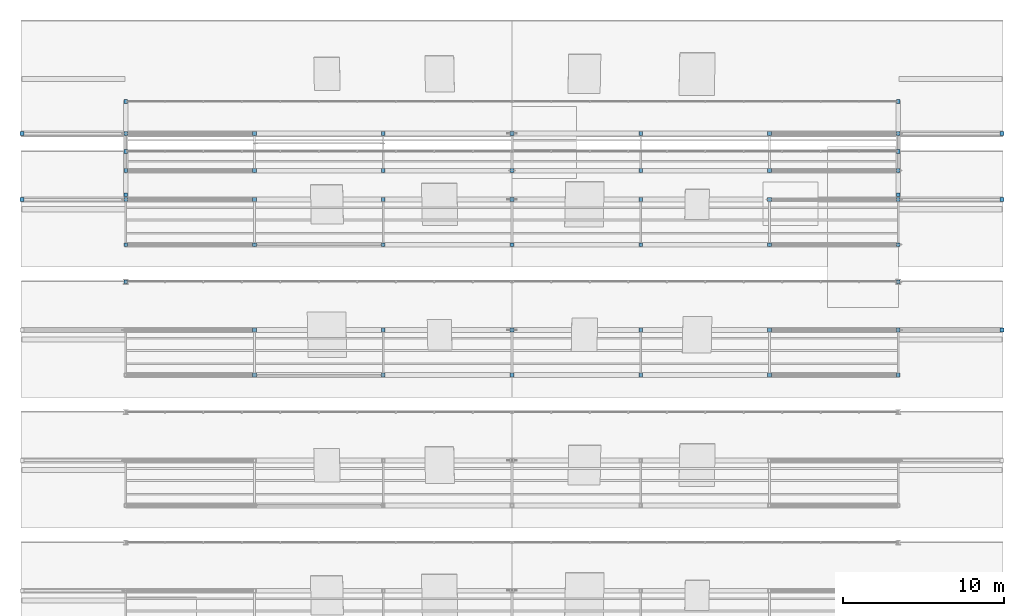
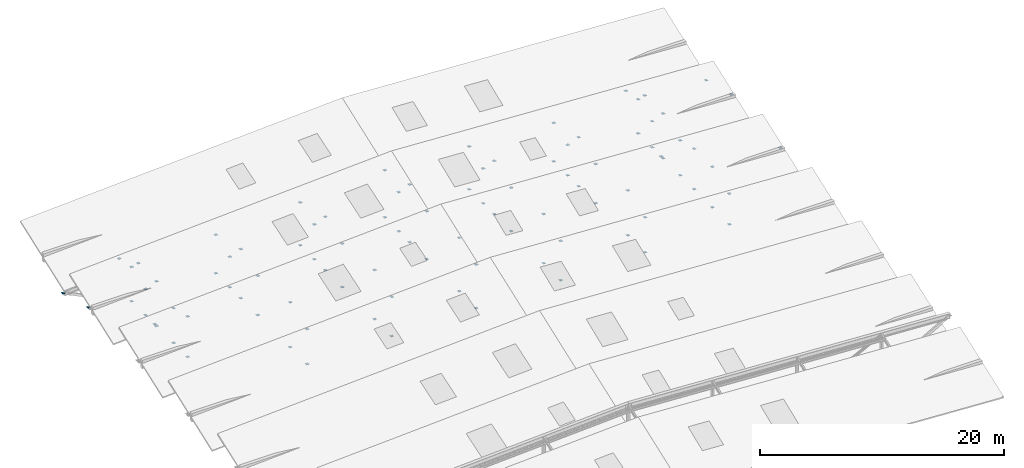
# One storey, part 140 of 141: 95 discrete accessories.
"""IFC4 building model written with IfcOpenShell, lengths in metres."""

from ifc_helpers import new_model, si_unit, direction, frame, origin, origin_2d, place, context, subcontext, project, spatial, rectangle, extrude, material, type_object, element, save


model = new_model("IFC4")

# Units and contexts
model_context = context("Model", 3, precision=1e-05, world=origin(), true_north=direction((0.0, 1.0)))
body_context = subcontext(model_context, "Body", "Model", "MODEL_VIEW")
ifc_project = project(units=[si_unit("LENGTHUNIT", "METRE"), si_unit("AREAUNIT", "SQUARE_METRE"), si_unit("VOLUMEUNIT", "CUBIC_METRE"), si_unit("PLANEANGLEUNIT", "RADIAN"), si_unit("MASSUNIT", "GRAM", prefix="KILO")], contexts=[model_context])

# Site, building, storey
site_placement = place(None, origin())
site = spatial("IfcSite", under=ifc_project, at=site_placement, CompositionType="ELEMENT")
building_placement = place(site_placement, origin())
building = spatial("IfcBuilding", under=site, at=building_placement, Name="Sundkrona Museum", CompositionType="ELEMENT")
storey_placement = place(building_placement, frame((0.0, 0.0, 34.0)))
storey = spatial("IfcBuildingStorey", under=building, at=storey_placement, Name="RF", CompositionType="ELEMENT", Elevation=34.0)

# Discrete accessories
ifc_material = material(Name="Stainless Steel EN 1.4404 Cleat", Category="steel")
discrete_accessory_type = type_object("IfcDiscreteAccessoryType", Name="BRK-FIN-01", PredefinedType="BRACKET", material=ifc_material)
for number, where, z_axis, x_axis, name in (
    (1, (128.0, 31.60009765625, 4.227783203125), (0.0, 0.0, 1.0), (1.0, 0.0, 0.0), "Brace and Strut End Connection Plate SAW-B5-DG-1-2"),
    (2, (160.0, 31.60009765625, -0.262451171875), (0.0, 0.0, 1.0), (1.0, 0.0, 0.0), "Brace and Strut End Connection Plate SAW-B5-DG-6-1"),
    (3, (168.0, 31.60009765625, 3.795166015625), (0.0, 0.0, 1.0), (1.0, 0.0, 0.0), "Brace and Strut End Connection Plate SAW-B5-DG-6-2"),
    (4, (168.0, 31.60009765625, -0.262451171875), (0.0, 0.0, 1.0), (1.0, 0.0, 0.0), "Brace and Strut End Connection Plate SAW-B5-KNE-1"),
    (5, (174.449951171875, 31.60009765625, 3.446044921875), (0.0, 0.0, 1.0), (1.0, 0.0, 0.0), "Brace and Strut End Connection Plate SAW-B5-KNE-2"),
    (6, (128.0, 28.800048828125, 3.2373046875), (0.0, 0.0, 1.0), (1.0, 0.0, 0.0), "Brace and Strut End Connection Plate SAW-B5-VDG-1-2"),
    (7, (160.0, 28.800048828125, -0.262451171875), (0.0, 0.0, 1.0), (1.0, 0.0, 0.0), "Brace and Strut End Connection Plate SAW-B5-VDG-6-1"),
    (8, (168.0, 28.800048828125, 2.804443359375), (0.0, 0.0, 1.0), (1.0, 0.0, 0.0), "Brace and Strut End Connection Plate SAW-B5-VDG-6-2"),
    (9, (128.0, 31.60009765625, -0.262451171875), (0.0, 0.0, 1.0), (1.0, 0.0, 0.0), "Brace and Strut End Connection Plate SAW-B5-VP-2-1"),
    (10, (128.0, 28.800048828125, -0.262451171875), (0.0, 0.0, 1.0), (1.0, 0.0, 0.0), "Brace and Strut End Connection Plate SAW-B5-SVP-2-1"),
    (11, (136.0, 31.60009765625, -0.262451171875), (0.0, 0.0, 1.0), (1.0, 0.0, 0.0), "Brace and Strut End Connection Plate SAW-B5-VP-3-1"),
    (12, (136.0, 31.60009765625, 4.66064453125), (0.0, 0.0, 1.0), (1.0, 0.0, 0.0), "Brace and Strut End Connection Plate SAW-B5-VP-3-2"),
    (13, (136.0, 28.800048828125, -0.262451171875), (0.0, 0.0, 1.0), (1.0, 0.0, 0.0), "Brace and Strut End Connection Plate SAW-B5-SVP-3-1"),
    (14, (136.0, 28.800048828125, 3.670166015625), (0.0, 0.0, 1.0), (1.0, 0.0, 0.0), "Brace and Strut End Connection Plate SAW-B5-SVP-3-2"),
    (15, (144.0, 31.60009765625, -0.262451171875), (0.0, 0.0, 1.0), (1.0, 0.0, 0.0), "Brace and Strut End Connection Plate SAW-B5-VP-4-1"),
    (16, (144.0, 31.60009765625, 5.09326171875), (0.0, 0.0, 1.0), (1.0, 0.0, 0.0), "Brace and Strut End Connection Plate SAW-B5-VP-4-2"),
    (17, (144.0, 28.800048828125, -0.262451171875), (0.0, 0.0, 1.0), (1.0, 0.0, 0.0), "Brace and Strut End Connection Plate SAW-B5-SVP-4-1"),
    (18, (144.0, 28.800048828125, 4.102783203125), (0.0, 0.0, 1.0), (1.0, 0.0, 0.0), "Brace and Strut End Connection Plate SAW-B5-SVP-4-2"),
    (19, (152.0, 31.60009765625, -0.262451171875), (0.0, 0.0, 1.0), (1.0, 0.0, 0.0), "Brace and Strut End Connection Plate SAW-B5-VP-5-1"),
    (20, (152.0, 31.60009765625, 4.66064453125), (0.0, 0.0, 1.0), (1.0, 0.0, 0.0), "Brace and Strut End Connection Plate SAW-B5-VP-5-2"),
    (21, (152.0, 28.800048828125, -0.262451171875), (0.0, 0.0, 1.0), (1.0, 0.0, 0.0), "Brace and Strut End Connection Plate SAW-B5-SVP-5-1"),
    (22, (152.0, 28.800048828125, 3.670166015625), (0.0, 0.0, 1.0), (1.0, 0.0, 0.0), "Brace and Strut End Connection Plate SAW-B5-SVP-5-2"),
    (23, (160.0, 31.60009765625, 4.227783203125), (0.0, 0.0, 1.0), (1.0, 0.0, 0.0), "Brace and Strut End Connection Plate SAW-B5-VP-6-2"),
    (24, (160.0, 28.800048828125, 3.2373046875), (0.0, 0.0, 1.0), (1.0, 0.0, 0.0), "Brace and Strut End Connection Plate SAW-B5-SVP-6-2"),
    (25, (168.0, 28.800048828125, -0.262451171875), (0.0, 0.0, 1.0), (1.0, 0.0, 0.0), "Brace and Strut End Connection Plate SAW-B5-SVP-7-1"),
    (26, (120.0, 39.699951171875, -0.262451171875), (0.0, 0.0, 1.0), (1.0, 0.0, 0.0), "Brace and Strut End Connection Plate SAW-B6-DG-1-1"),
    (27, (128.0, 39.699951171875, 4.64794921875), (0.0, 0.0, 1.0), (1.0, 0.0, 0.0), "Brace and Strut End Connection Plate SAW-B6-DG-1-2"),
    (28, (160.0, 39.699951171875, -0.262451171875), (0.0, 0.0, 1.0), (1.0, 0.0, 0.0), "Brace and Strut End Connection Plate SAW-B6-DG-6-1"),
    (29, (168.0, 39.699951171875, 4.215087890625), (0.0, 0.0, 1.0), (1.0, 0.0, 0.0), "Brace and Strut End Connection Plate SAW-B6-DG-6-2"),
    (30, (113.550048828125, 39.699951171875, 3.865966796875), (0.0, 0.0, 1.0), (1.0, 0.0, 0.0), "Brace and Strut End Connection Plate SAW-B6-KNW-2"),
    (31, (168.0, 39.699951171875, -0.262451171875), (0.0, 0.0, 1.0), (1.0, 0.0, 0.0), "Brace and Strut End Connection Plate SAW-B6-KNE-1"),
    (32, (174.449951171875, 39.699951171875, 3.865966796875), (0.0, 0.0, 1.0), (1.0, 0.0, 0.0), "Brace and Strut End Connection Plate SAW-B6-KNE-2"),
    (33, (120.0, 36.89990234375, -0.262451171875), (0.0, 0.0, 1.0), (1.0, 0.0, 0.0), "Brace and Strut End Connection Plate SAW-B6-VDG-1-1"),
    (34, (128.0, 36.89990234375, 3.6572265625), (0.0, 0.0, 1.0), (1.0, 0.0, 0.0), "Brace and Strut End Connection Plate SAW-B6-VDG-1-2"),
    (35, (160.0, 36.89990234375, -0.262451171875), (0.0, 0.0, 1.0), (1.0, 0.0, 0.0), "Brace and Strut End Connection Plate SAW-B6-VDG-6-1"),
    (36, (168.0, 36.89990234375, 3.224365234375), (0.0, 0.0, 1.0), (1.0, 0.0, 0.0), "Brace and Strut End Connection Plate SAW-B6-VDG-6-2"),
    (37, (120.0, 39.699951171875, 4.215087890625), (0.0, 0.0, 1.0), (1.0, 0.0, 0.0), "Brace and Strut End Connection Plate SAW-B6-VP-1-2"),
    (38, (120.0, 36.89990234375, 3.224365234375), (0.0, 0.0, 1.0), (1.0, 0.0, 0.0), "Brace and Strut End Connection Plate SAW-B6-SVP-1-2"),
    (39, (128.0, 39.699951171875, -0.262451171875), (0.0, 0.0, 1.0), (1.0, 0.0, 0.0), "Brace and Strut End Connection Plate SAW-B6-VP-2-1"),
    (40, (128.0, 36.89990234375, -0.262451171875), (0.0, 0.0, 1.0), (1.0, 0.0, 0.0), "Brace and Strut End Connection Plate SAW-B6-SVP-2-1"),
    (41, (136.0, 39.699951171875, -0.262451171875), (0.0, 0.0, 1.0), (1.0, 0.0, 0.0), "Brace and Strut End Connection Plate SAW-B6-VP-3-1"),
    (42, (136.0, 39.699951171875, 5.08056640625), (0.0, 0.0, 1.0), (1.0, 0.0, 0.0), "Brace and Strut End Connection Plate SAW-B6-VP-3-2"),
    (43, (136.0, 36.89990234375, -0.262451171875), (0.0, 0.0, 1.0), (1.0, 0.0, 0.0), "Brace and Strut End Connection Plate SAW-B6-SVP-3-1"),
    (44, (136.0, 36.89990234375, 4.090087890625), (0.0, 0.0, 1.0), (1.0, 0.0, 0.0), "Brace and Strut End Connection Plate SAW-B6-SVP-3-2"),
    (45, (144.0, 39.699951171875, -0.262451171875), (0.0, 0.0, 1.0), (1.0, 0.0, 0.0), "Brace and Strut End Connection Plate SAW-B6-VP-4-1"),
    (46, (144.0, 39.699951171875, 5.513427734375), (0.0, 0.0, 1.0), (1.0, 0.0, 0.0), "Brace and Strut End Connection Plate SAW-B6-VP-4-2"),
    (47, (144.0, 36.89990234375, -0.262451171875), (0.0, 0.0, 1.0), (1.0, 0.0, 0.0), "Brace and Strut End Connection Plate SAW-B6-SVP-4-1"),
    (48, (144.0, 36.89990234375, 4.52294921875), (0.0, 0.0, 1.0), (1.0, 0.0, 0.0), "Brace and Strut End Connection Plate SAW-B6-SVP-4-2"),
    (49, (152.0, 39.699951171875, -0.262451171875), (0.0, 0.0, 1.0), (1.0, 0.0, 0.0), "Brace and Strut End Connection Plate SAW-B6-VP-5-1"),
    (50, (152.0, 39.699951171875, 5.08056640625), (0.0, 0.0, 1.0), (1.0, 0.0, 0.0), "Brace and Strut End Connection Plate SAW-B6-VP-5-2"),
    (51, (152.0, 36.89990234375, -0.262451171875), (0.0, 0.0, 1.0), (1.0, 0.0, 0.0), "Brace and Strut End Connection Plate SAW-B6-SVP-5-1"),
    (52, (152.0, 36.89990234375, 4.090087890625), (0.0, 0.0, 1.0), (1.0, 0.0, 0.0), "Brace and Strut End Connection Plate SAW-B6-SVP-5-2"),
    (53, (160.0, 39.699951171875, 4.64794921875), (0.0, 0.0, 1.0), (1.0, 0.0, 0.0), "Brace and Strut End Connection Plate SAW-B6-VP-6-2"),
    (54, (160.0, 36.89990234375, 3.6572265625), (0.0, 0.0, 1.0), (1.0, 0.0, 0.0), "Brace and Strut End Connection Plate SAW-B6-SVP-6-2"),
    (55, (168.0, 36.89990234375, -0.262451171875), (0.0, 0.0, 1.0), (1.0, 0.0, 0.0), "Brace and Strut End Connection Plate SAW-B6-SVP-7-1"),
    (56, (120.0, 43.800048828125, -0.262451171875), (0.0, 0.0, 1.0), (1.0, 0.0, 0.0), "Brace and Strut End Connection Plate SAW-B7-DG-1-1"),
    (57, (128.0, 43.800048828125, 3.595458984375), (0.0, 0.0, 1.0), (1.0, 0.0, 0.0), "Brace and Strut End Connection Plate SAW-B7-DG-1-2"),
    (58, (160.0, 43.800048828125, -0.262451171875), (0.0, 0.0, 1.0), (1.0, 0.0, 0.0), "Brace and Strut End Connection Plate SAW-B7-DG-6-1"),
    (59, (168.0, 43.800048828125, 3.162841796875), (0.0, 0.0, 1.0), (1.0, 0.0, 0.0), "Brace and Strut End Connection Plate SAW-B7-DG-6-2"),
    (60, (113.550048828125, 43.800048828125, 2.81396484375), (0.0, 0.0, 1.0), (1.0, 0.0, 0.0), "Brace and Strut End Connection Plate SAW-B7-KNW-2"),
    (61, (168.0, 43.800048828125, -0.262451171875), (0.0, 0.0, 1.0), (1.0, 0.0, 0.0), "Brace and Strut End Connection Plate SAW-B7-KNE-1"),
    (62, (174.449951171875, 43.800048828125, 2.81396484375), (0.0, 0.0, 1.0), (1.0, 0.0, 0.0), "Brace and Strut End Connection Plate SAW-B7-KNE-2"),
    (63, (120.0, 41.5, -0.262451171875), (0.0, 0.0, 1.0), (1.0, 0.0, 0.0), "Brace and Strut End Connection Plate SAW-B7-VDG-1-1"),
    (64, (128.0, 41.5, 2.7890625), (0.0, 0.0, 1.0), (1.0, 0.0, 0.0), "Brace and Strut End Connection Plate SAW-B7-VDG-1-2"),
    (65, (160.0, 41.5, -0.262451171875), (0.0, 0.0, 1.0), (1.0, 0.0, 0.0), "Brace and Strut End Connection Plate SAW-B7-VDG-6-1"),
    (66, (168.0, 41.5, 2.356201171875), (0.0, 0.0, 1.0), (1.0, 0.0, 0.0), "Brace and Strut End Connection Plate SAW-B7-VDG-6-2"),
    (67, (120.0, 43.800048828125, 3.162841796875), (0.0, 0.0, 1.0), (1.0, 0.0, 0.0), "Brace and Strut End Connection Plate SAW-B7-VP-1-2"),
    (68, (120.0, 41.5, 2.356201171875), (0.0, 0.0, 1.0), (1.0, 0.0, 0.0), "Brace and Strut End Connection Plate SAW-B7-SVP-1-2"),
    (69, (128.0, 43.800048828125, -0.262451171875), (0.0, 0.0, 1.0), (1.0, 0.0, 0.0), "Brace and Strut End Connection Plate SAW-B7-VP-2-1"),
    (70, (128.0, 41.5, -0.262451171875), (0.0, 0.0, 1.0), (1.0, 0.0, 0.0), "Brace and Strut End Connection Plate SAW-B7-SVP-2-1"),
    (71, (136.0, 43.800048828125, -0.262451171875), (0.0, 0.0, 1.0), (1.0, 0.0, 0.0), "Brace and Strut End Connection Plate SAW-B7-VP-3-1"),
    (72, (136.0, 43.800048828125, 4.0283203125), (0.0, 0.0, 1.0), (1.0, 0.0, 0.0), "Brace and Strut End Connection Plate SAW-B7-VP-3-2"),
    (73, (136.0, 41.5, -0.262451171875), (0.0, 0.0, 1.0), (1.0, 0.0, 0.0), "Brace and Strut End Connection Plate SAW-B7-SVP-3-1"),
    (74, (136.0, 41.5, 3.221923828125), (0.0, 0.0, 1.0), (1.0, 0.0, 0.0), "Brace and Strut End Connection Plate SAW-B7-SVP-3-2"),
    (75, (144.0, 43.800048828125, -0.262451171875), (0.0, 0.0, 1.0), (1.0, 0.0, 0.0), "Brace and Strut End Connection Plate SAW-B7-VP-4-1"),
    (76, (144.0, 43.800048828125, 4.461181640625), (0.0, 0.0, 1.0), (1.0, 0.0, 0.0), "Brace and Strut End Connection Plate SAW-B7-VP-4-2"),
    (77, (144.0, 41.5, -0.262451171875), (0.0, 0.0, 1.0), (1.0, 0.0, 0.0), "Brace and Strut End Connection Plate SAW-B7-SVP-4-1"),
    (78, (144.0, 41.5, 3.654541015625), (0.0, 0.0, 1.0), (1.0, 0.0, 0.0), "Brace and Strut End Connection Plate SAW-B7-SVP-4-2"),
    (79, (152.0, 43.800048828125, -0.262451171875), (0.0, 0.0, 1.0), (1.0, 0.0, 0.0), "Brace and Strut End Connection Plate SAW-B7-VP-5-1"),
    (80, (152.0, 43.800048828125, 4.0283203125), (0.0, 0.0, 1.0), (1.0, 0.0, 0.0), "Brace and Strut End Connection Plate SAW-B7-VP-5-2"),
    (81, (152.0, 41.5, -0.262451171875), (0.0, 0.0, 1.0), (1.0, 0.0, 0.0), "Brace and Strut End Connection Plate SAW-B7-SVP-5-1"),
    (82, (152.0, 41.5, 3.221923828125), (0.0, 0.0, 1.0), (1.0, 0.0, 0.0), "Brace and Strut End Connection Plate SAW-B7-SVP-5-2"),
    (83, (160.0, 43.800048828125, 3.595458984375), (0.0, 0.0, 1.0), (1.0, 0.0, 0.0), "Brace and Strut End Connection Plate SAW-B7-VP-6-2"),
    (84, (160.0, 41.5, 2.7890625), (0.0, 0.0, 1.0), (1.0, 0.0, 0.0), "Brace and Strut End Connection Plate SAW-B7-SVP-6-2"),
    (85, (168.0, 41.5, -0.262451171875), (0.0, 0.0, 1.0), (1.0, 0.0, 0.0), "Brace and Strut End Connection Plate SAW-B7-SVP-7-1"),
    (86, (120.0, 34.60009765625, -0.262451171875), (0.0, 0.0, 1.0), (1.0, 0.0, 0.0), "Brace and Strut End Connection Plate SAW-CL-PST-05W-1"),
    (87, (120.0, 34.60009765625, 3.79052734375), (0.0, 0.0, 1.0), (1.0, 0.0, 0.0), "Brace and Strut End Connection Plate SAW-CL-PST-05W-2"),
    (88, (168.0, 34.60009765625, -0.262451171875), (0.0, 0.0, 1.0), (1.0, 0.0, 0.0), "Brace and Strut End Connection Plate SAW-CL-PST-05E-1"),
    (89, (168.0, 34.60009765625, 3.79052734375), (0.0, 0.0, 1.0), (1.0, 0.0, 0.0), "Brace and Strut End Connection Plate SAW-CL-PST-05E-2"),
    (90, (120.0, 40.0, -0.262451171875), (0.0, 0.0, 1.0), (1.0, 0.0, 0.0), "Brace and Strut End Connection Plate SAW-CL-PST-06W-1"),
    (91, (120.0, 42.699951171875, 4.21044921875), (0.0, 0.0, 1.0), (1.0, 0.0, 0.0), "Brace and Strut End Connection Plate SAW-CL-PST-06W-2"),
    (92, (168.0, 40.0, -0.262451171875), (0.0, 0.0, 1.0), (1.0, 0.0, 0.0), "Brace and Strut End Connection Plate SAW-CL-PST-06E-1"),
    (93, (168.0, 42.699951171875, 4.21044921875), (0.0, 0.0, 1.0), (1.0, 0.0, 0.0), "Brace and Strut End Connection Plate SAW-CL-PST-06E-2"),
    (94, (120.0, 45.800048828125, 2.79052734375), (0.0, 0.0, 1.0), (1.0, 0.0, 0.0), "Brace and Strut End Connection Plate SAW-CL-PST-07W-2"),
    (95, (168.0, 45.800048828125, 2.79052734375), (0.0, 0.0, 1.0), (1.0, 0.0, 0.0), "Brace and Strut End Connection Plate SAW-CL-PST-07E-2"),
):
    element("IfcDiscreteAccessory", number, at=place(storey_placement, frame(where, z_axis=z_axis, x_axis=x_axis)), inside=storey, type_object=discrete_accessory_type, Name=name, PredefinedType="BRACKET", context=body_context, shape_type="SweptSolid", body=[
        extrude(rectangle(XDim=0.239990234375, YDim=0.239990234375, at=origin_2d()), origin(), (0.0, 0.0, 1.0), 0.02490234375),
    ])

save(model, "model.ifc")
